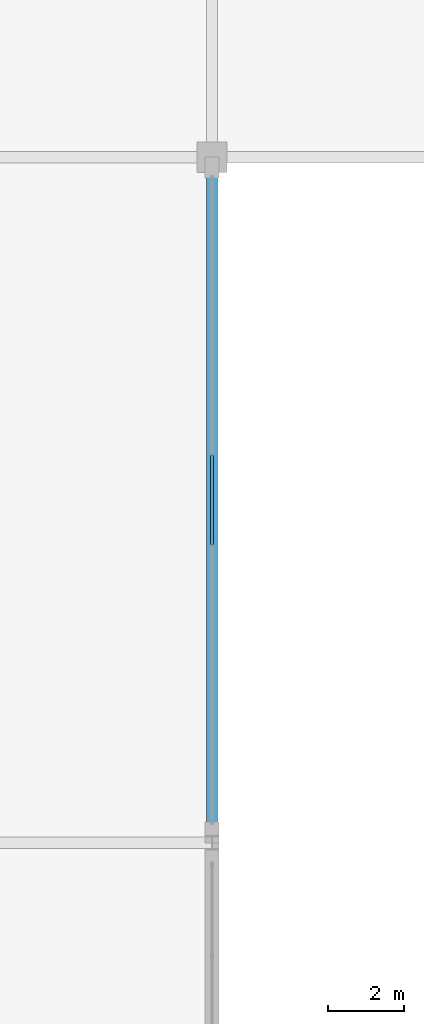
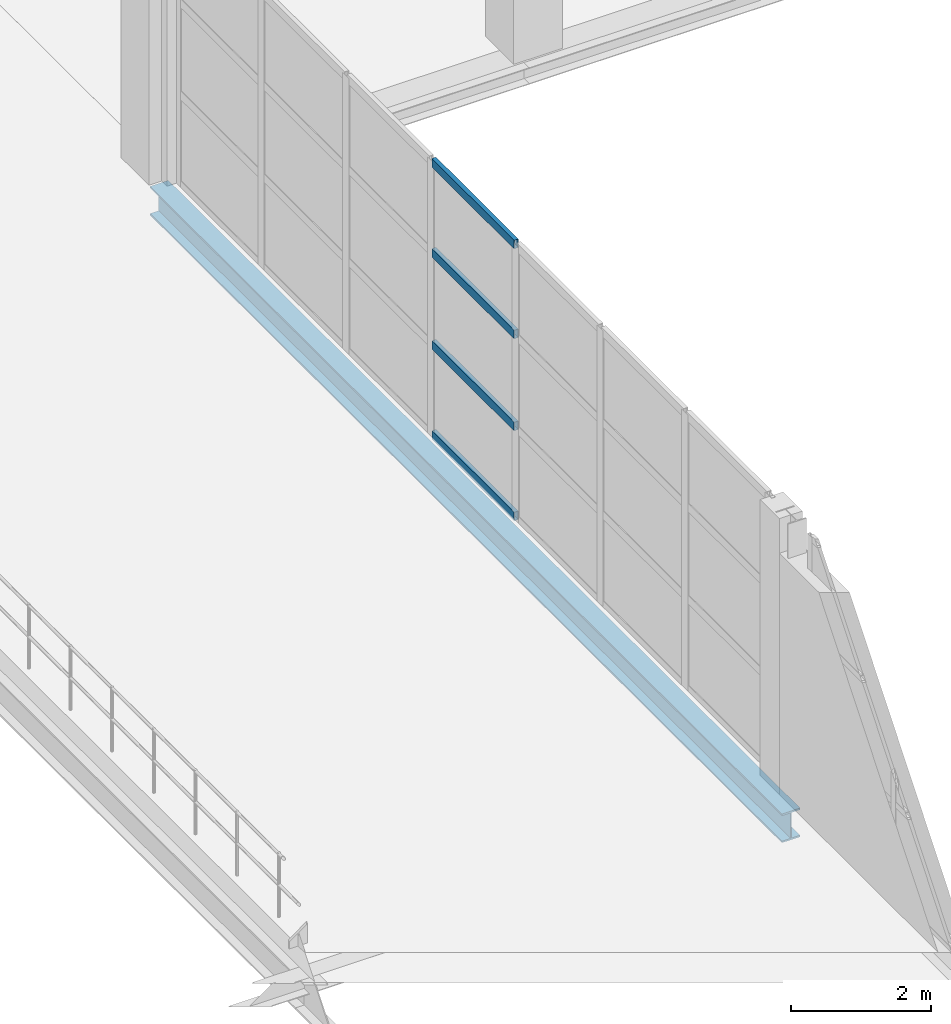
# One storey, part 55 of 147: 4 members, 1 beam, 1 element without a shape of its own.
"""IFC4 building model written with IfcOpenShell, lengths in metres."""

from ifc_helpers import new_model, si_unit, direction, frame, origin, origin_2d, place, context, subcontext, project, spatial, hollow_rectangle, i_section, extrude, material, layer, layer_set, material_profile, profile_set, type_object, element, aggregate, save


model = new_model("IFC4")

# Units and contexts
model_context = context("Model", 3, precision=1e-05, world=origin(), true_north=direction((0.0, 1.0)))
body_context = subcontext(model_context, "Body", "Model", "MODEL_VIEW")
ifc_project = project(units=[si_unit("LENGTHUNIT", "METRE"), si_unit("AREAUNIT", "SQUARE_METRE"), si_unit("VOLUMEUNIT", "CUBIC_METRE"), si_unit("PLANEANGLEUNIT", "RADIAN"), si_unit("MASSUNIT", "GRAM", prefix="KILO")], contexts=[model_context])

# Site, building, storey
site_placement = place(None, origin())
site = spatial("IfcSite", under=ifc_project, at=site_placement, CompositionType="ELEMENT")
building_placement = place(site_placement, origin())
building = spatial("IfcBuilding", under=site, at=building_placement, Name="Zilviju Railside Exhibition Hall", CompositionType="ELEMENT")
storey_placement = place(building_placement, frame((0.0, 0.0, 8.39990234375)))
storey = spatial("IfcBuildingStorey", under=building, at=storey_placement, Name="L03", CompositionType="ELEMENT", Elevation=8.39990234375)

# Beam
ifc_material_1 = material(Name="Steel S355J2", Category="steel")
ifc_material_profile_1 = material_profile(ifc_material_1, i_section(OverallWidth=0.300048828125, OverallDepth=0.5, WebThickness=0.014404296875, FlangeThickness=0.028076171875, at=origin_2d()), Name="HEB 500")
ifc_profile_set_1 = profile_set([ifc_material_profile_1], Name="Steel S355J2")
beam_type = type_object("IfcBeamType", Name="BM-HEB500", PredefinedType="BEAM", material=ifc_profile_set_1)
beam_placement = place(storey_placement, frame((78.0, 36.0, -0.599853515625), z_axis=(0.0, 1.0, 0.0), x_axis=(-1.0, 0.0, 0.0)))
element("IfcBeam", 1, at=beam_placement, inside=storey, type_object=beam_type, Name="Transverse Girder L03 X=78.0 (36.0..54.0)", PredefinedType="BEAM", context=body_context, shape_type="SweptSolid", body=[
    extrude(i_section(OverallWidth=0.300048828125, OverallDepth=0.5, WebThickness=0.014404296875, FlangeThickness=0.028076171875, at=origin_2d()), origin(), (0.0, 0.0, 1.0), 18.0),
])

# Curtain wall, members
ifc_material_2 = material(Name="Thermally broken aluminium-steel triple-glazed curtain wall", Category="steel")
ifc_layer = layer(ifc_material_2, 0.179931640625)
ifc_layer_set = layer_set([ifc_layer], Name="Thermally broken aluminium-steel triple-glazed curtain wall")
curtain_wall_type = type_object("IfcCurtainWallType", Name="CW-BAY-01", PredefinedType="USERDEFINED", material=ifc_layer_set)
curtain_wall_placement = place(storey_placement, origin())
curtain_wall = element("IfcCurtainWall", 2, at=curtain_wall_placement, inside=storey, type_object=curtain_wall_type, Name="South Hall West Upper Glazed Gable (36..54)", ObjectType="GLAZED CURTAIN WALL", PredefinedType="USERDEFINED")
ifc_material_3 = material(Name="Thermally broken anodized aluminium transom", Category="aluminium")
ifc_material_profile_2 = material_profile(ifc_material_3, hollow_rectangle(XDim=0.070068359375, YDim=0.14990234375, WallThickness=0.0048828125, at=origin_2d()), Name="TRANSOM 150x70x5")
ifc_profile_set_2 = profile_set([ifc_material_profile_2], Name="Thermally broken anodized aluminium transom")
member_type = type_object("IfcMemberType", Name="CWT-70x150", PredefinedType="USERDEFINED", material=ifc_profile_set_2)
member_1_placement = place(storey_placement, frame((78.0, 43.827880859375, 0.03515625), z_axis=(0.0, 1.0, 0.0), x_axis=(-1.0, 0.0, 0.0)))
member_1 = element("IfcMember", 3, at=member_1_placement, type_object=member_type, Name="CW-01 transom 4.1", ObjectType="TRANSOM", PredefinedType="USERDEFINED", context=body_context, shape_type="SweptSolid", body=[
    extrude(hollow_rectangle(XDim=0.070068359375, YDim=0.14990234375, WallThickness=0.0048828125, at=origin_2d()), origin(), (0.0, 0.0, 1.0), 2.34423828125),
])
member_2_placement = place(storey_placement, frame((78.0, 43.827880859375, 1.60009765625), z_axis=(0.0, 1.0, 0.0), x_axis=(-1.0, 0.0, 0.0)))
member_2 = element("IfcMember", 4, at=member_2_placement, type_object=member_type, Name="CW-01 transom 4.2", ObjectType="TRANSOM", PredefinedType="USERDEFINED", context=body_context, shape_type="SweptSolid", body=[
    extrude(hollow_rectangle(XDim=0.070068359375, YDim=0.14990234375, WallThickness=0.0048828125, at=origin_2d()), origin(), (0.0, 0.0, 1.0), 2.34423828125),
])
member_3_placement = place(storey_placement, frame((78.0, 43.827880859375, 3.2001953125), z_axis=(0.0, 1.0, 0.0), x_axis=(-1.0, 0.0, 0.0)))
member_3 = element("IfcMember", 5, at=member_3_placement, type_object=member_type, Name="CW-01 transom 4.3", ObjectType="TRANSOM", PredefinedType="USERDEFINED", context=body_context, shape_type="SweptSolid", body=[
    extrude(hollow_rectangle(XDim=0.070068359375, YDim=0.14990234375, WallThickness=0.0048828125, at=origin_2d()), origin(), (0.0, 0.0, 1.0), 2.34423828125),
])
member_4_placement = place(storey_placement, frame((78.0, 43.827880859375, 4.76513671875), z_axis=(0.0, 1.0, 0.0), x_axis=(-1.0, 0.0, 0.0)))
member_4 = element("IfcMember", 6, at=member_4_placement, type_object=member_type, Name="CW-01 transom 4.4", ObjectType="TRANSOM", PredefinedType="USERDEFINED", context=body_context, shape_type="SweptSolid", body=[
    extrude(hollow_rectangle(XDim=0.070068359375, YDim=0.14990234375, WallThickness=0.0048828125, at=origin_2d()), origin(), (0.0, 0.0, 1.0), 2.34423828125),
])
aggregate(curtain_wall, [member_1, member_2, member_3, member_4])

save(model, "model.ifc")
